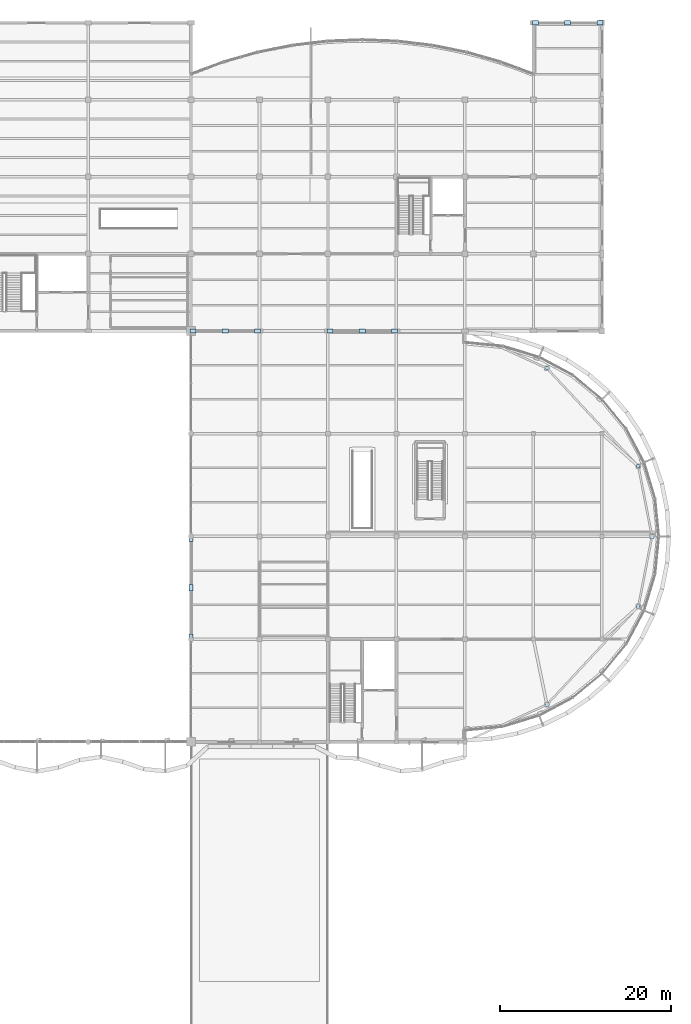
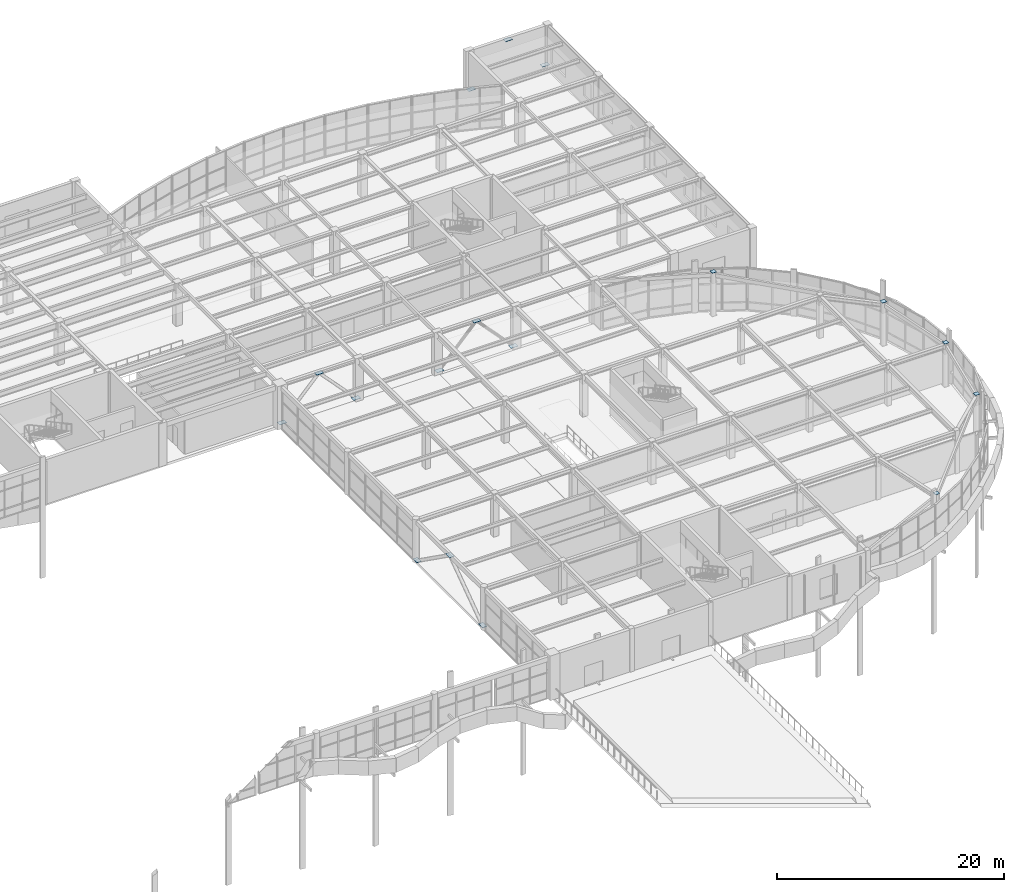
# One storey, part 43 of 63: 17 plates.
"""IFC4 building model written with IfcOpenShell, lengths in metres."""

from ifc_helpers import new_model, si_unit, direction, frame, origin, origin_2d, place, context, subcontext, project, spatial, rectangle, extrude, material, layer, layer_set, type_object, element, save


model = new_model("IFC4")

# Units and contexts
model_context = context("Model", 3, precision=1e-05, world=origin(), true_north=direction((0.0, 1.0)))
body_context = subcontext(model_context, "Body", "Model", "MODEL_VIEW")
ifc_project = project(units=[si_unit("LENGTHUNIT", "METRE"), si_unit("AREAUNIT", "SQUARE_METRE"), si_unit("VOLUMEUNIT", "CUBIC_METRE"), si_unit("PLANEANGLEUNIT", "RADIAN"), si_unit("MASSUNIT", "GRAM", prefix="KILO")], contexts=[model_context])

# Site, building, storey
site_placement = place(None, origin())
site = spatial("IfcSite", under=ifc_project, at=site_placement, CompositionType="ELEMENT")
building_placement = place(site_placement, origin())
building = spatial("IfcBuilding", under=site, at=building_placement, Name="Keelwater Ferry Terminal", CompositionType="ELEMENT")
storey_placement = place(building_placement, frame((0.0, 0.0, 10.199951171875)))
storey = spatial("IfcBuildingStorey", under=building, at=storey_placement, Name="L02", CompositionType="ELEMENT", Elevation=10.199951171875)

# Plates
ifc_material_1 = material(Name="Steel S355", Category="steel")
ifc_layer_1 = layer(ifc_material_1, 0.02490234375)
ifc_layer_set_1 = layer_set([ifc_layer_1], Name="Steel S355")
plate_type_1 = type_object("IfcPlateType", Name="CP3 440x440x25", PredefinedType="USERDEFINED", material=ifc_layer_set_1)
for number, where, z_axis, x_axis, name in (
    (1, (173.577880859375, 85.638916015625, 4.6396484375), (0.0, 0.0, 1.0), (1.0, 0.0, 0.0), "Column Top Cap Plate 74"),
    (2, (184.259033203125, 74.18505859375, 4.6396484375), (0.0, 0.0, 1.0), (1.0, 0.0, 0.0), "Column Top Cap Plate 75"),
    (3, (185.85009765625, 66.0, 4.6396484375), (0.0, 0.0, 1.0), (1.0, 0.0, 0.0), "Column Top Cap Plate 76"),
    (4, (184.259033203125, 57.81494140625, 4.6396484375), (0.0, 0.0, 1.0), (1.0, 0.0, 0.0), "Column Top Cap Plate 77"),
    (5, (173.577880859375, 46.361083984375, 4.6396484375), (0.0, 0.0, 1.0), (1.0, 0.0, 0.0), "Column Top Cap Plate 78"),
):
    element("IfcPlate", number, at=place(storey_placement, frame(where, z_axis=z_axis, x_axis=x_axis)), inside=storey, type_object=plate_type_1, Name=name, ObjectType="GUSSET PLATE", PredefinedType="USERDEFINED", context=body_context, shape_type="SweptSolid", body=[
        extrude(rectangle(XDim=0.43994140625, YDim=0.43994140625, at=origin_2d()), origin(), (0.0, 0.0, 1.0), 0.02490234375),
    ])
ifc_material_2 = material(Name="Steel S355", Category="steel")
ifc_layer_2 = layer(ifc_material_2, 0.02490234375)
ifc_layer_set_2 = layer_set([ifc_layer_2], Name="Steel S355")
plate_type_2 = type_object("IfcPlateType", Name="GP3 720x480x25", PredefinedType="USERDEFINED", material=ifc_layer_set_2)
for number, where, z_axis, x_axis, name in (
    (6, (132.0, 60.0, 4.257568359375), (0.0, 0.0, 1.0), (0.0, 1.0, 0.0), "Connection Gusset Plate 87"),
    (7, (132.0, 54.239990234375, 0.2275390625), (0.0, 0.0, 1.0), (0.0, 1.0, 0.0), "Connection Gusset Plate 88"),
    (8, (132.0, 65.760009765625, 0.2275390625), (0.0, 0.0, 1.0), (0.0, 1.0, 0.0), "Connection Gusset Plate 89"),
    (9, (152.0, 90.0, 4.257568359375), (0.0, 0.0, 1.0), (1.0, 0.0, 0.0), "Connection Gusset Plate 99"),
    (10, (148.239990234375, 90.0, 0.2275390625), (0.0, 0.0, 1.0), (1.0, 0.0, 0.0), "Connection Gusset Plate 100"),
    (11, (155.760009765625, 90.0, 0.2275390625), (0.0, 0.0, 1.0), (1.0, 0.0, 0.0), "Connection Gusset Plate 101"),
    (12, (136.0, 90.0, 4.257568359375), (0.0, 0.0, 1.0), (1.0, 0.0, 0.0), "Connection Gusset Plate 108"),
    (13, (132.239990234375, 90.0, 0.2275390625), (0.0, 0.0, 1.0), (1.0, 0.0, 0.0), "Connection Gusset Plate 109"),
    (14, (139.760009765625, 90.0, 0.2275390625), (0.0, 0.0, 1.0), (1.0, 0.0, 0.0), "Connection Gusset Plate 110"),
    (15, (176.0, 126.0, 4.257568359375), (0.0, 0.0, 1.0), (1.0, 0.0, 0.0), "Connection Gusset Plate 123"),
    (16, (172.239990234375, 126.0, 0.2275390625), (0.0, 0.0, 1.0), (1.0, 0.0, 0.0), "Connection Gusset Plate 124"),
    (17, (179.760009765625, 126.0, 0.2275390625), (0.0, 0.0, 1.0), (1.0, 0.0, 0.0), "Connection Gusset Plate 125"),
):
    element("IfcPlate", number, at=place(storey_placement, frame(where, z_axis=z_axis, x_axis=x_axis)), inside=storey, type_object=plate_type_2, Name=name, ObjectType="GUSSET PLATE", PredefinedType="USERDEFINED", context=body_context, shape_type="SweptSolid", body=[
        extrude(rectangle(XDim=0.719970703125, YDim=0.47998046875, at=origin_2d()), origin(), (0.0, 0.0, 1.0), 0.02490234375),
    ])

save(model, "model.ifc")
